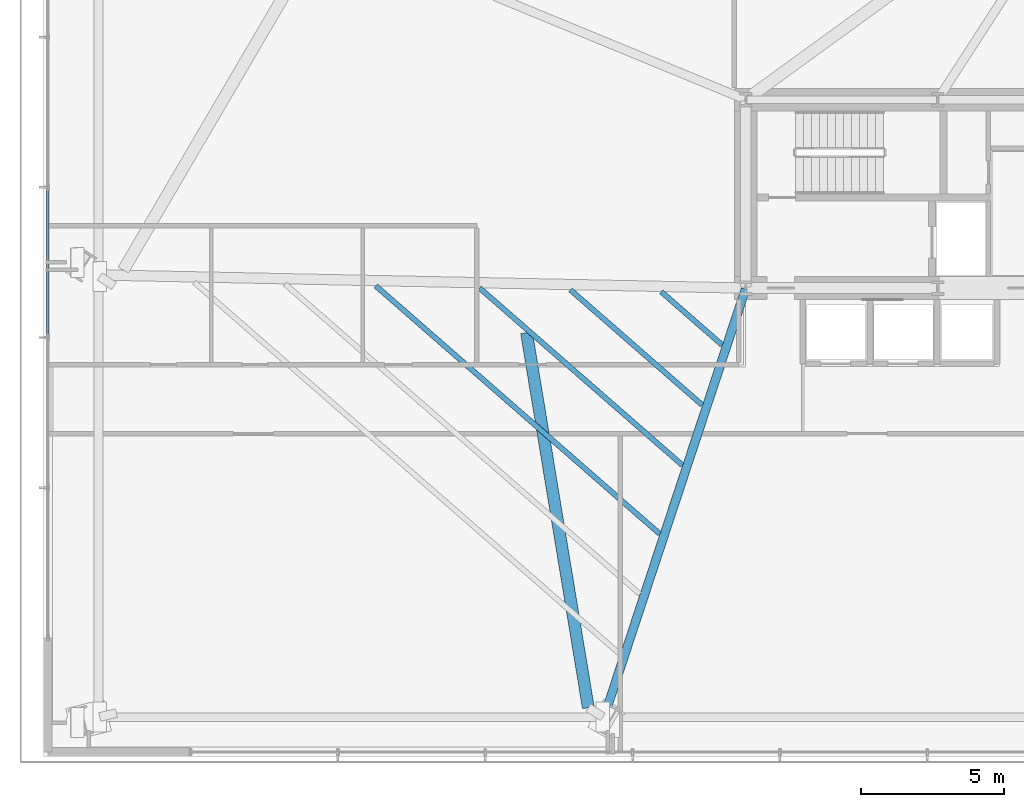
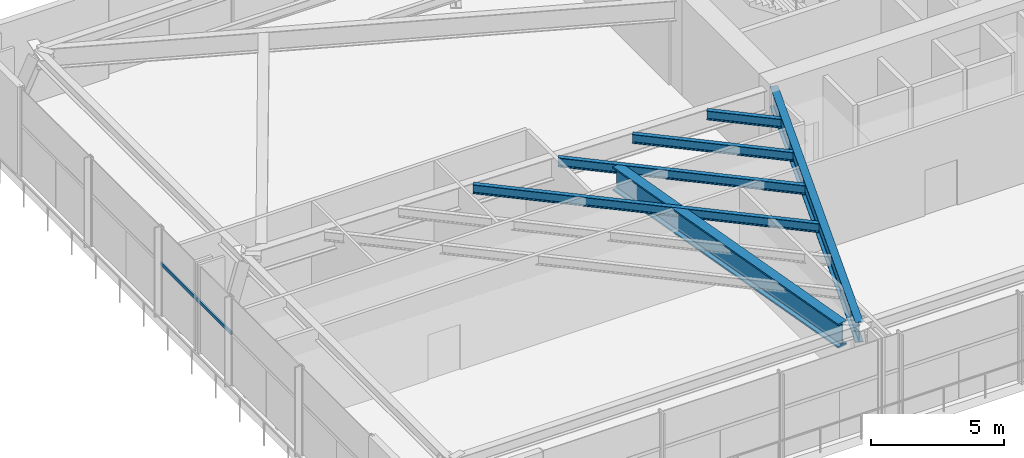
# One storey, part 7 of 36: 6 beams, 1 member, 1 element without a shape of its own.
"""IFC4 building model written with IfcOpenShell, lengths in metres."""

from ifc_helpers import new_model, si_unit, direction, frame, origin, origin_2d, place, context, subcontext, project, spatial, hollow_rectangle, i_section, extrude, source, transform, mapped, material, material_profile, profile_set, type_object, type_shapes, element, aggregate, save


model = new_model("IFC4")

# Units and contexts
model_context = context("Model", 3, precision=1e-05, world=origin(), true_north=direction((0.0, 1.0)))
body_context = subcontext(model_context, "Body", "Model", "MODEL_VIEW")
ifc_project = project(units=[si_unit("LENGTHUNIT", "METRE"), si_unit("AREAUNIT", "SQUARE_METRE"), si_unit("VOLUMEUNIT", "CUBIC_METRE"), si_unit("PLANEANGLEUNIT", "RADIAN"), si_unit("MASSUNIT", "GRAM", prefix="KILO")], contexts=[model_context])

# Site, building, storey
site_placement = place(None, origin())
site = spatial("IfcSite", under=ifc_project, at=site_placement, CompositionType="ELEMENT")
building_placement = place(site_placement, origin())
building = spatial("IfcBuilding", under=site, at=building_placement, Name="Astriad Promenade Condominiums", CompositionType="ELEMENT")
storey_placement = place(building_placement, frame((0.0, 0.0, 5.0)))
storey = spatial("IfcBuildingStorey", under=building, at=storey_placement, Name="L01", CompositionType="ELEMENT", Elevation=5.0)

# Beams
ifc_material_1 = material(Name="Steel ASTM A992 Grade 50", Category="steel")
ifc_material_profile_1 = material_profile(ifc_material_1, i_section(OverallWidth=0.307861328125, OverallDepth=0.9267578125, WebThickness=0.019287109375, FlangeThickness=0.031982421875, FilletRadius=0.024169921875, at=origin_2d()), Name="W36X194")
ifc_profile_set_1 = profile_set([ifc_material_profile_1], Name="Steel ASTM A992 Grade 50")
beam_type_1 = type_object("IfcBeamType", Name="STEEL PRIMARY GIRDER W36X194", PredefinedType="BEAM", material=ifc_profile_set_1)
shared_shape_1 = source(origin(), body_context, "Body", "SweptSolid", [
    extrude(i_section(OverallWidth=0.307861328125, OverallDepth=0.9267578125, WebThickness=0.019287109375, FlangeThickness=0.031982421875, FilletRadius=0.024169921875, at=origin_2d()), origin(), (0.0, 0.0, 1.0), 15.762451171875),
])
type_shapes(beam_type_1, [shared_shape_1])
beam_1_placement = place(storey_placement, frame((21.4423828125, 2.395263671875, 3.61669921875), z_axis=(0.313722152946, 0.949514829137, 0.0), x_axis=(-0.949514829137, 0.313722152946, 0.0)))
element("IfcBeam", 1, at=beam_1_placement, inside=storey, type_object=beam_type_1, Name="Primary Floor Girder PG-W2-L01", PredefinedType="BEAM", context=body_context, shape_type="MappedRepresentation", body=[
    mapped(shared_shape_1, transform((0.0, 0.0, 0.0), scale=1.0)),
])
ifc_material_profile_2 = material_profile(ifc_material_1, i_section(OverallWidth=0.180908203125, OverallDepth=0.417236328125, WebThickness=0.010986328125, FlangeThickness=0.018310546875, FilletRadius=0.013916015625, at=origin_2d()), Name="W16X57")
ifc_profile_set_2 = profile_set([ifc_material_profile_2], Name="Steel ASTM A992 Grade 50")
beam_type_2 = type_object("IfcBeamType", Name="STEEL FLOOR JOIST W16X57", PredefinedType="JOIST", material=ifc_profile_set_2)
shared_shape_2 = source(origin(), body_context, "Body", "SweptSolid", [
    extrude(i_section(OverallWidth=0.180908203125, OverallDepth=0.417236328125, WebThickness=0.010986328125, FlangeThickness=0.018310546875, FilletRadius=0.013916015625, at=origin_2d()), origin(), (0.0, 0.0, 1.0), 13.20166015625),
])
beam_2_placement = place(storey_placement, frame((13.44140625, 17.476806640625, 3.871337890625), z_axis=(0.753129747843, -0.657872011044, 0.0), x_axis=(0.657872011044, 0.753129747843, 0.0)))
element("IfcBeam", 2, at=beam_2_placement, inside=storey, type_object=beam_type_2, Name="Secondary Composite Floor Joist JW1-3-L01", PredefinedType="JOIST", context=body_context, shape_type="MappedRepresentation", body=[
    mapped(shared_shape_2, transform((0.0, 0.0, 0.0), scale=1.0)),
])
shared_shape_3 = source(origin(), body_context, "Body", "SweptSolid", [
    extrude(i_section(OverallWidth=0.180908203125, OverallDepth=0.417236328125, WebThickness=0.010986328125, FlangeThickness=0.018310546875, FilletRadius=0.013916015625, at=origin_2d()), origin(), (0.0, 0.0, 1.0), 9.430908203125),
])
beam_3_placement = place(storey_placement, frame((17.07666015625, 17.40283203125, 3.871337890625), z_axis=(0.75312167971, -0.657881247301, 0.0), x_axis=(0.657881247301, 0.75312167971, 0.0)))
element("IfcBeam", 3, at=beam_3_placement, inside=storey, type_object=beam_type_2, Name="Secondary Composite Floor Joist JW1-4-L01", PredefinedType="JOIST", context=body_context, shape_type="MappedRepresentation", body=[
    mapped(shared_shape_3, transform((0.0, 0.0, 0.0), scale=1.0)),
])
shared_shape_4 = source(origin(), body_context, "Body", "SweptSolid", [
    extrude(i_section(OverallWidth=0.180908203125, OverallDepth=0.417236328125, WebThickness=0.010986328125, FlangeThickness=0.018310546875, FilletRadius=0.013916015625, at=origin_2d()), origin(), (0.0, 0.0, 1.0), 6.131103515625),
])
beam_4_placement = place(storey_placement, frame((20.257568359375, 17.338134765625, 3.871337890625), z_axis=(0.75310679041, -0.657898291712, 0.0), x_axis=(0.657898291712, 0.75310679041, 0.0)))
element("IfcBeam", 4, at=beam_4_placement, inside=storey, type_object=beam_type_2, Name="Secondary Composite Floor Joist JW1-5-L01", PredefinedType="JOIST", context=body_context, shape_type="MappedRepresentation", body=[
    mapped(shared_shape_4, transform((0.0, 0.0, 0.0), scale=1.0)),
])
shared_shape_5 = source(origin(), body_context, "Body", "SweptSolid", [
    extrude(i_section(OverallWidth=0.180908203125, OverallDepth=0.417236328125, WebThickness=0.010986328125, FlangeThickness=0.018310546875, FilletRadius=0.013916015625, at=origin_2d()), origin(), (0.0, 0.0, 1.0), 2.831298828125),
])
type_shapes(beam_type_2, [shared_shape_2, shared_shape_3, shared_shape_4, shared_shape_5])
beam_5_placement = place(storey_placement, frame((23.4384765625, 17.273193359375, 3.871337890625), z_axis=(0.753099918838, -0.657906157629, 0.0), x_axis=(0.657906157629, 0.753099918838, 0.0)))
element("IfcBeam", 5, at=beam_5_placement, inside=storey, type_object=beam_type_2, Name="Secondary Composite Floor Joist JW1-6-L01", PredefinedType="JOIST", context=body_context, shape_type="MappedRepresentation", body=[
    mapped(shared_shape_5, transform((0.0, 0.0, 0.0), scale=1.0)),
])
ifc_material_profile_3 = material_profile(ifc_material_1, i_section(OverallWidth=0.4169921875, OverallDepth=1.093505859375, WebThickness=0.0390625, FlangeThickness=0.070068359375, FilletRadius=0.025390625, at=origin_2d()), Name="W40X503")
ifc_profile_set_3 = profile_set([ifc_material_profile_3], Name="Steel ASTM A992 Grade 50")
beam_type_3 = type_object("IfcBeamType", Name="STEEL TRANSFER GIRDER W40X503", PredefinedType="BEAM", material=ifc_profile_set_3)
shared_shape_6 = source(origin(), body_context, "Body", "SweptSolid", [
    extrude(i_section(OverallWidth=0.4169921875, OverallDepth=1.093505859375, WebThickness=0.0390625, FlangeThickness=0.070068359375, FilletRadius=0.025390625, at=origin_2d()), origin(), (0.0, 0.0, 1.0), 13.316162109375),
])
type_shapes(beam_type_3, [shared_shape_6])
beam_6_placement = place(storey_placement, frame((18.7197265625, 15.8388671875, 3.533203125), z_axis=(0.162570230158, -0.986696974895, 0.0), x_axis=(0.986696974895, 0.162570230158, 0.0)))
element("IfcBeam", 6, at=beam_6_placement, inside=storey, type_object=beam_type_3, Name="Transfer Splice Carrier TRM-SP-PC02-L01", PredefinedType="BEAM", context=body_context, shape_type="MappedRepresentation", body=[
    mapped(shared_shape_6, transform((0.0, 0.0, 0.0), scale=1.0)),
])

# Curtain wall, member
ifc_material_2 = material(Name="Anodised aluminium Black Dark Glass Unitised", Category="aluminium")
curtain_wall_type = type_object("IfcCurtainWallType", Name="CW-POD-DARK", PredefinedType="USERDEFINED", material=ifc_material_2)
curtain_wall_placement = place(storey_placement, origin())
curtain_wall = element("IfcCurtainWall", 7, at=curtain_wall_placement, inside=storey, type_object=curtain_wall_type, Name="CW-L01-W", ObjectType="UNITISED_CURTAIN_WALL", PredefinedType="USERDEFINED")
ifc_material_3 = material(Name="Anodised aluminium 6063-T6 Black", Category="aluminium")
ifc_material_profile_4 = material_profile(ifc_material_3, hollow_rectangle(XDim=0.074951171875, YDim=0.14990234375, WallThickness=0.004150390625, at=origin_2d()), Name="ALU-TRN-75X150")
ifc_profile_set_4 = profile_set([ifc_material_profile_4], Name="Anodised aluminium 6063-T6 Black")
member_type = type_object("IfcMemberType", Name="TRN-ALU-TRN-75X150", PredefinedType="USERDEFINED", material=ifc_profile_set_4)
shared_shape_7 = source(origin(), body_context, "Body", "SweptSolid", [
    extrude(hollow_rectangle(XDim=0.074951171875, YDim=0.14990234375, WallThickness=0.004150390625, at=origin_2d()), origin(), (0.0, 0.0, 1.0), 5.260009765625),
])
type_shapes(member_type, [shared_shape_7])
member_placement = place(storey_placement, frame((1.949951171875, 15.669921875, 2.35009765625), z_axis=(0.0, 1.0, 0.0), x_axis=(-1.0, 0.0, 0.0)))
member = element("IfcMember", 8, at=member_placement, type_object=member_type, Name="CW-L01-W-TRN-02-0", ObjectType="TRANSOM", PredefinedType="USERDEFINED", context=body_context, shape_type="MappedRepresentation", body=[
    mapped(shared_shape_7, transform((0.0, 0.0, 0.0), scale=1.0)),
])
aggregate(curtain_wall, [member])

save(model, "model.ifc")
